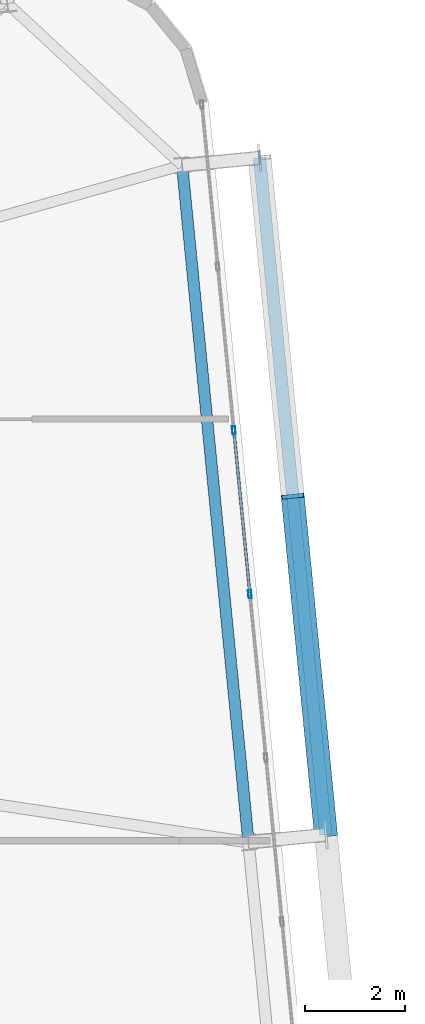
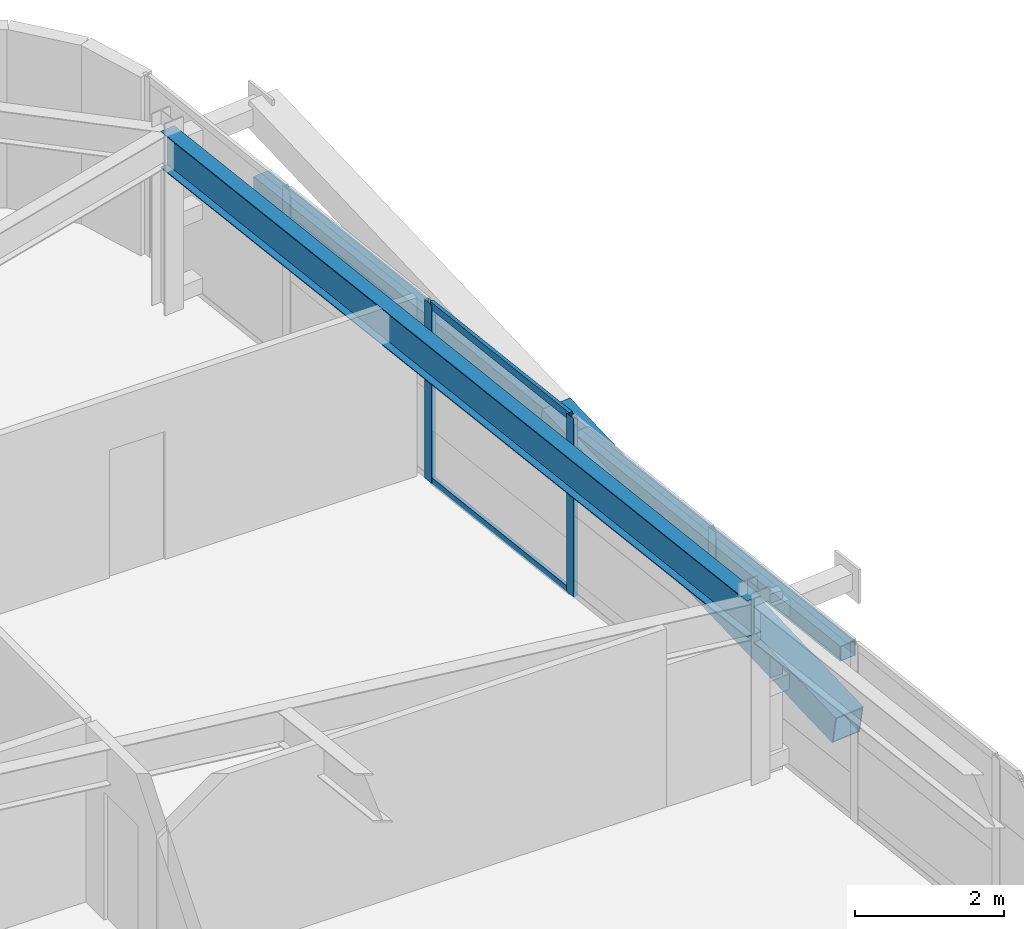
# One storey, part 26 of 53: 6 members, 1 beam, 1 element without a shape of its own.
"""IFC4 building model written with IfcOpenShell, lengths in metres."""

from ifc_helpers import new_model, si_unit, direction, frame, origin, origin_2d, place, context, subcontext, project, spatial, hollow_rectangle, i_section, extrude, source, transform, mapped, material, layer, layer_set, material_profile, profile_set, type_object, element, aggregate, save


model = new_model("IFC4")

# Units and contexts
model_context = context("Model", 3, precision=1e-05, world=origin(), true_north=direction((0.0, 1.0)))
body_context = subcontext(model_context, "Body", "Model", "MODEL_VIEW")
ifc_project = project(units=[si_unit("LENGTHUNIT", "METRE"), si_unit("AREAUNIT", "SQUARE_METRE"), si_unit("VOLUMEUNIT", "CUBIC_METRE"), si_unit("PLANEANGLEUNIT", "RADIAN"), si_unit("MASSUNIT", "GRAM", prefix="KILO")], contexts=[model_context])

# Site, building, storey
site_placement = place(None, origin())
site = spatial("IfcSite", under=ifc_project, at=site_placement, CompositionType="ELEMENT")
building_placement = place(site_placement, origin())
building = spatial("IfcBuilding", under=site, at=building_placement, Name="Taldren Reach Tower", CompositionType="ELEMENT")
storey_placement = place(building_placement, frame((0.0, 0.0, 84.0)))
storey = spatial("IfcBuildingStorey", under=building, at=storey_placement, Name="L25", CompositionType="ELEMENT", Elevation=84.0)

# Beam
ifc_material_1 = material(Name="Steel Gr 350 (350PLUS)", Category="steel")
ifc_material_profile_1 = material_profile(ifc_material_1, i_section(OverallWidth=0.22802734375, OverallDepth=0.60205078125, WebThickness=0.010498046875, FlangeThickness=0.014892578125, at=origin_2d()), Name="610UB101")
ifc_profile_set_1 = profile_set([ifc_material_profile_1], Name="Steel Gr 350 (350PLUS)")
beam_type = type_object("IfcBeamType", Name="BM-UB610B", PredefinedType="BEAM", material=ifc_profile_set_1)
shared_shape_1 = source(origin(), body_context, "Body", "SweptSolid", [
    extrude(i_section(OverallWidth=0.22802734375, OverallDepth=0.60205078125, WebThickness=0.010498046875, FlangeThickness=0.014892578125, at=origin_2d()), origin(), (0.0, 0.0, 1.0), 13.550048828125),
])
beam_placement = place(storey_placement, frame((64.569580078125, 21.968994140625, 2.62890625), z_axis=(-0.097584021339, 0.995227290009, 0.0), x_axis=(-0.995227290009, -0.097584021339, 0.0)))
element("IfcBeam", 1, at=beam_placement, inside=storey, type_object=beam_type, Name="Perimeter gable girder B2 E2-E3 L25", PredefinedType="BEAM", context=body_context, shape_type="MappedRepresentation", body=[
    mapped(shared_shape_1, transform((0.0, 0.0, 0.0), scale=1.0)),
])

# Members
ifc_material_2 = material(Name="Steel Gr 450 (C450L0)", Category="steel")
ifc_material_profile_2 = material_profile(ifc_material_2, hollow_rectangle(XDim=0.4599609375, YDim=0.4599609375, WallThickness=0.01611328125, at=origin_2d()), Name="460x460x16.0SHS")
ifc_profile_set_2 = profile_set([ifc_material_profile_2], Name="Steel Gr 450 (C450L0)")
member_type_1 = type_object("IfcMemberType", Name="MB-EXO457", PredefinedType="BRACE", material=ifc_profile_set_2)
shared_shape_2 = source(origin(), body_context, "Body", "SweptSolid", [
    extrude(hollow_rectangle(XDim=0.4599609375, YDim=0.4599609375, WallThickness=0.01611328125, at=origin_2d()), origin(), (0.0, 0.0, 1.0), 6.883056640625),
])
member_1_placement = place(storey_placement, frame((66.112060546875, 22.1201171875, 0.219970703125), z_axis=(-0.09605145821, 0.97959718347, 0.176531797456), x_axis=(-0.995227290009, -0.097584021339, 0.0)))
element("IfcMember", 2, at=member_1_placement, inside=storey, type_object=member_type_1, Name="Exoskeleton Diagrid Brace B2-E2 L25", PredefinedType="BRACE", context=body_context, shape_type="MappedRepresentation", body=[
    mapped(shared_shape_2, transform((0.0, 0.0, 0.0), scale=1.0)),
])
ifc_material_3 = material(Name="Steel Gr 350 (C350L0)", Category="steel")
ifc_material_profile_3 = material_profile(ifc_material_3, hollow_rectangle(XDim=0.25, YDim=0.25, WallThickness=0.010009765625, at=origin_2d()), Name="250x250x10.0SHS")
ifc_profile_set_3 = profile_set([ifc_material_profile_3], Name="Steel Gr 350 (C350L0)")
member_type_2 = type_object("IfcMemberType", Name="MB-POST250", PredefinedType="POST", material=ifc_profile_set_3)
shared_shape_3 = source(origin(), body_context, "Body", "SweptSolid", [
    extrude(hollow_rectangle(XDim=0.25, YDim=0.25, WallThickness=0.010009765625, at=origin_2d()), origin(), (0.0, 0.0, 1.0), 13.550048828125),
])
member_2_placement = place(storey_placement, frame((66.112060546875, 22.1201171875, 1.43505859375), z_axis=(-0.097584021339, 0.995227290009, 0.0), x_axis=(-0.995227290009, -0.097584021339, 0.0)))
element("IfcMember", 3, at=member_2_placement, inside=storey, type_object=member_type_2, Name="Exoskeleton mid-height ring chord B2-E2 L25", PredefinedType="POST", context=body_context, shape_type="MappedRepresentation", body=[
    mapped(shared_shape_3, transform((0.0, 0.0, 0.0), scale=1.0)),
])

# Curtain wall, members
ifc_material_4 = material(Name="Aluminium and Low-E Glass Unitised System", Category="aluminium")
ifc_layer = layer(ifc_material_4, 0.159912109375)
ifc_layer_set = layer_set([ifc_layer], Name="Aluminium and Low-E Glass Unitised System")
curtain_wall_type = type_object("IfcCurtainWallType", Name="CW-SYS-3", PredefinedType="NOTDEFINED", material=ifc_layer_set)
curtain_wall_placement = place(storey_placement, origin())
curtain_wall = element("IfcCurtainWall", 4, at=curtain_wall_placement, inside=storey, type_object=curtain_wall_type, Name="Unitised curtain wall CW-L25-E", PredefinedType="NOTDEFINED")
ifc_material_5 = material(Name="Anodised Aluminium 6063-T6", Category="aluminium")
ifc_material_profile_4 = material_profile(ifc_material_5, hollow_rectangle(XDim=0.06494140625, YDim=0.1650390625, WallThickness=0.00390625, at=origin_2d()), Name="ALU-165x65x4RHS")
ifc_profile_set_4 = profile_set([ifc_material_profile_4], Name="Anodised Aluminium 6063-T6")
member_type_3 = type_object("IfcMemberType", Name="CW-MUL-165", PredefinedType="MULLION", material=ifc_profile_set_4)
shared_shape_4 = source(origin(), body_context, "Body", "SweptSolid", [
    extrude(hollow_rectangle(XDim=0.06494140625, YDim=0.1650390625, WallThickness=0.00390625, at=origin_2d()), origin(), (0.0, 0.0, 1.0), 2.929931640625),
])
member_3_placement = place(storey_placement, frame((64.59716796875, 26.911865234375, 0.0), z_axis=(0.0, 0.0, 1.0), x_axis=(-0.99522741555, -0.09758274098, 0.0)))
member_3 = element("IfcMember", 5, at=member_3_placement, type_object=member_type_3, Name="CW-3 mullion 7", PredefinedType="MULLION", context=body_context, shape_type="MappedRepresentation", body=[
    mapped(shared_shape_4, transform((0.0, 0.0, 0.0), scale=1.0)),
])
member_4_placement = place(storey_placement, frame((64.27734375, 30.174072265625, 0.0), z_axis=(0.0, 0.0, 1.0), x_axis=(-0.99522741555, -0.09758274098, 0.0)))
member_4 = element("IfcMember", 6, at=member_4_placement, type_object=member_type_3, Name="CW-3 mullion 8", PredefinedType="MULLION", context=body_context, shape_type="MappedRepresentation", body=[
    mapped(shared_shape_4, transform((0.0, 0.0, 0.0), scale=1.0)),
])
ifc_material_profile_5 = material_profile(ifc_material_5, hollow_rectangle(XDim=0.054931640625, YDim=0.1201171875, WallThickness=0.0029296875, at=origin_2d()), Name="ALU-120x55x3RHS")
ifc_profile_set_5 = profile_set([ifc_material_profile_5], Name="Anodised Aluminium 6063-T6")
member_type_4 = type_object("IfcMemberType", Name="CW-TRN-135", PredefinedType="USERDEFINED", material=ifc_profile_set_5)
shared_shape_5 = source(origin(), body_context, "Body", "SweptSolid", [
    extrude(hollow_rectangle(XDim=0.054931640625, YDim=0.1201171875, WallThickness=0.0029296875, at=origin_2d()), origin(), (0.0, 0.0, 1.0), 3.212890625),
])
member_5_placement = place(storey_placement, frame((64.593994140625, 26.944091796875, 0.027587890625), z_axis=(-0.097569948235, 0.995228669805, 0.0), x_axis=(-0.995228669805, -0.097569948235, 0.0)))
member_5 = element("IfcMember", 7, at=member_5_placement, type_object=member_type_4, Name="CW-3 transom 7.1", ObjectType="TRANSOM", PredefinedType="USERDEFINED", context=body_context, shape_type="MappedRepresentation", body=[
    mapped(shared_shape_5, transform((0.0, 0.0, 0.0), scale=1.0)),
])
member_6_placement = place(storey_placement, frame((64.593994140625, 26.944091796875, 2.902587890625), z_axis=(-0.097569948235, 0.995228669805, 0.0), x_axis=(-0.995228669805, -0.097569948235, 0.0)))
member_6 = element("IfcMember", 8, at=member_6_placement, type_object=member_type_4, Name="CW-3 transom 7.2", ObjectType="TRANSOM", PredefinedType="USERDEFINED", context=body_context, shape_type="MappedRepresentation", body=[
    mapped(shared_shape_5, transform((0.0, 0.0, 0.0), scale=1.0)),
])
aggregate(curtain_wall, [member_3, member_4, member_5, member_6])

save(model, "model.ifc")
